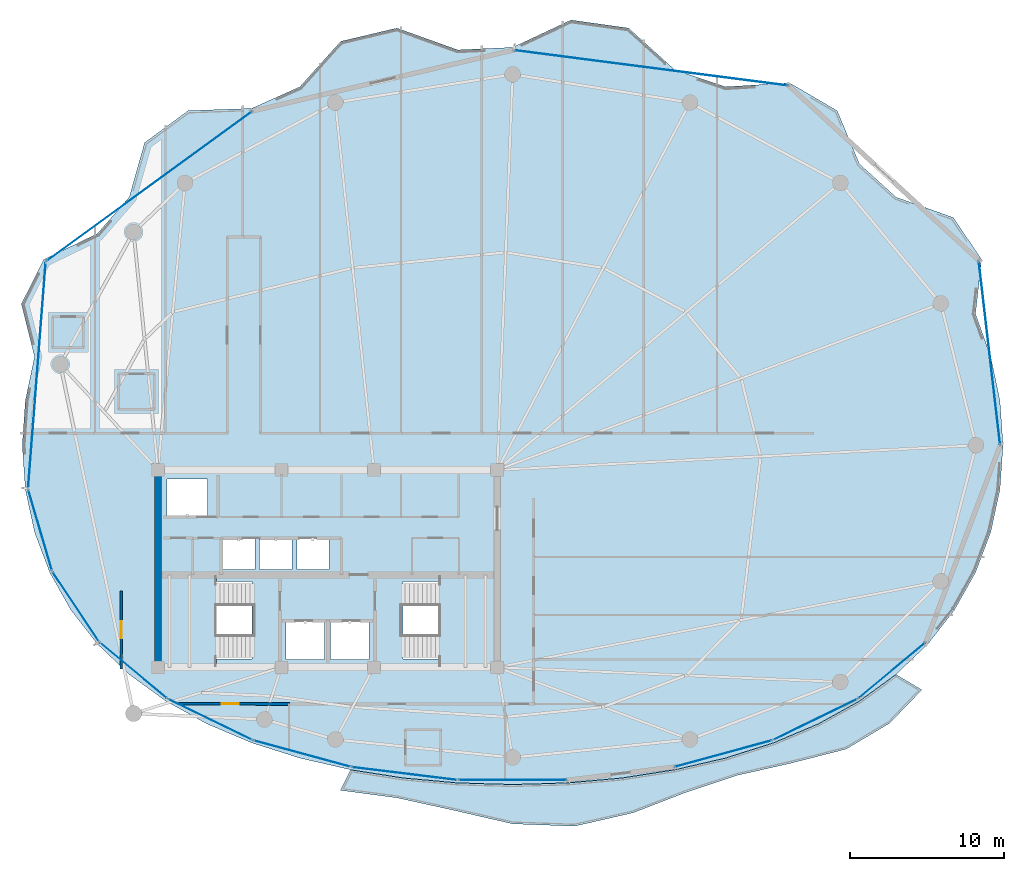
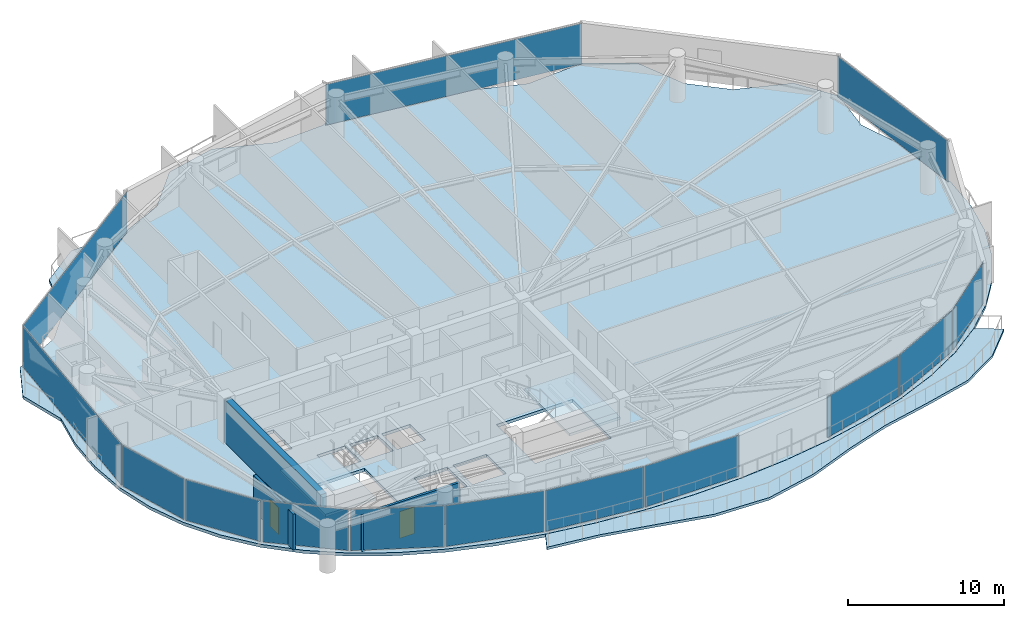
# One storey, part 24 of 31: 14 plates, 4 slabs, 3 walls, 2 doors, 2 openings, 16 elements without a shape of their own.
"""IFC4 building model written with IfcOpenShell, lengths in metres."""

import ifcopenshell
import ifcopenshell.guid

model = None  # the IFC model being written
_history = None  # IfcOwnerHistory: only IFC2X3 demands one
_inside = {}  # id of a spatial element -> (the spatial element, [elements in it])
_under = {}  # id of a project, library or spatial element -> (it, [spatial elements below it])
_declared = {}  # id of a project -> (the project, [libraries it declares])
_typed = {}  # id of a type object -> (the type object, [elements of that type])
_made_of = {}  # id of a material, layer set ... -> (it, [elements and type objects made of it])


def new_model(schema):
    """Start an empty IFC model of exactly this schema.

    Asked for "IFC4X3", IfcOpenShell would pick the latest addendum, in which some entities
    have other attributes; the version numbers below select the first issue.
    IFC2X3 requires an IfcOwnerHistory on every rooted entity: one is made here for all.
    """
    global model, _history
    if schema == "IFC4X3":
        model = ifcopenshell.file(schema_version=(4, 3, 0, 0))
    else:
        model = ifcopenshell.file(schema=schema)
    _inside.clear()
    _under.clear()
    _declared.clear()
    _typed.clear()
    _made_of.clear()
    _history = None
    if model.schema == "IFC2X3":
        org = make("IfcOrganization", Name="unknown")
        user = make(
            "IfcPersonAndOrganization",
            ThePerson=make("IfcPerson", FamilyName="unknown"),
            TheOrganization=org,
        )
        app = make(
            "IfcApplication",
            ApplicationDeveloper=org,
            Version="unknown",
            ApplicationFullName="unknown",
            ApplicationIdentifier="unknown",
        )
        _history = make(
            "IfcOwnerHistory",
            OwningUser=user,
            OwningApplication=app,
            ChangeAction="ADDED",
            CreationDate=0,
        )
    return model


def make(cls, **values):
    """One entity of the class cls with the attributes given. An attribute that is None is left unset."""
    return model.create_entity(
        cls, **{name: value for name, value in values.items() if value is not None}
    )


def rooted(cls, **values):
    """An entity with a GlobalId (a new one), such as an element, a storey or a relation."""
    return make(cls, GlobalId=ifcopenshell.guid.new(), OwnerHistory=_history, **values)


def si_unit(unit_type, name, prefix=None):
    """IfcSIUnit, for example si_unit("LENGTHUNIT", "METRE", prefix="MILLI")."""
    return make("IfcSIUnit", UnitType=unit_type, Prefix=prefix, Name=name)


def assignment(units):
    """IfcUnitAssignment: the units of a project."""
    return None if units is None else make("IfcUnitAssignment", Units=units)


def point(xyz):
    """IfcCartesianPoint."""
    return None if xyz is None else make("IfcCartesianPoint", Coordinates=xyz)


def direction(xyz):
    """IfcDirection."""
    return None if xyz is None else make("IfcDirection", DirectionRatios=xyz)


def frame(location, z_axis=None, x_axis=None):
    """IfcAxis2Placement3D, a coordinate frame: its origin and axes. An axis left out is left unset."""
    return make(
        "IfcAxis2Placement3D",
        Location=point(location),
        Axis=direction(z_axis),
        RefDirection=direction(x_axis),
    )


def frame_2d(location, x_axis=None):
    """IfcAxis2Placement2D, a coordinate frame in the plane: its origin and x axis."""
    return make(
        "IfcAxis2Placement2D", Location=point(location), RefDirection=direction(x_axis)
    )


def origin():
    """The frame at (0, 0, 0) with its axes left unset."""
    return frame((0.0, 0.0, 0.0))


def origin_2d():
    """The frame at (0, 0) in the plane with its x axis left unset."""
    return frame_2d((0.0, 0.0))


def place(relative_to, where):
    """IfcLocalPlacement: puts the frame where relative to a parent placement (None: the world)."""
    return make(
        "IfcLocalPlacement", PlacementRelTo=relative_to, RelativePlacement=where
    )


def context(
    kind, dimensions, precision=None, world=None, true_north=None, identifier=None
):
    """IfcGeometricRepresentationContext, for example the 3D "Model" context."""
    return make(
        "IfcGeometricRepresentationContext",
        ContextIdentifier=identifier,
        ContextType=kind,
        CoordinateSpaceDimension=dimensions,
        Precision=precision,
        WorldCoordinateSystem=world,
        TrueNorth=true_north,
    )


def subcontext(parent, identifier, kind, view, scale=None):
    """IfcGeometricRepresentationSubContext, for example "Body" below "Model"."""
    return make(
        "IfcGeometricRepresentationSubContext",
        ContextIdentifier=identifier,
        ContextType=kind,
        ParentContext=parent,
        TargetScale=scale,
        TargetView=view,
    )


def project(units=None, contexts=None):
    """IfcProject with its units and contexts."""
    return rooted(
        "IfcProject",
        Name="project",
        RepresentationContexts=contexts,
        UnitsInContext=assignment(units),
    )


def spatial(cls, under=None, at=None, **own):
    """A site, building, storey or space (cls), placed at a placement, below another one or the project."""
    s = rooted(cls, ObjectPlacement=at, **own)
    if under is not None:
        _under.setdefault(under.id(), (under, []))[1].append(s)
    return s


def polyline(points):
    """IfcPolyline through the points."""
    return make("IfcPolyline", Points=[point(p) for p in points])


def profile(cls, at=None, kind="AREA", **sizes):
    """A parametric profile (cls). Its sizes go by their IFC names, for example OverallWidth=200.0."""
    return make(cls, ProfileType=kind, Position=at, **sizes)


def rectangle(**sizes):
    """IfcRectangleProfileDef."""
    return profile("IfcRectangleProfileDef", **sizes)


def outline(outer, holes=None, kind="AREA"):
    """IfcArbitraryClosedProfileDef: a profile drawn as a closed curve; with holes, ...WithVoids."""
    if holes is None:
        return make("IfcArbitraryClosedProfileDef", ProfileType=kind, OuterCurve=outer)
    return make(
        "IfcArbitraryProfileDefWithVoids",
        ProfileType=kind,
        OuterCurve=outer,
        InnerCurves=holes,
    )


def extrude(swept, where, along, depth):
    """IfcExtrudedAreaSolid: the profile swept, set in the frame where, extruded along a direction by depth."""
    return make(
        "IfcExtrudedAreaSolid",
        SweptArea=swept,
        Position=where,
        ExtrudedDirection=direction(along),
        Depth=depth,
    )


def shape(context_of_items, identifier, shape_type, items):
    """IfcShapeRepresentation: the items that make up one representation, for example the "Body"."""
    return make(
        "IfcShapeRepresentation",
        ContextOfItems=context_of_items,
        RepresentationIdentifier=identifier,
        RepresentationType=shape_type,
        Items=items,
    )


def material(Name=None, Category=None):
    """IfcMaterial."""
    return make("IfcMaterial", Name=Name, Category=Category)


def layer(
    of_material, thickness, ventilated=None, Name=None, Category=None, Priority=None
):
    """IfcMaterialLayer: one layer of a wall or slab, of a material (None: an air gap)."""
    return make(
        "IfcMaterialLayer",
        Material=of_material,
        LayerThickness=thickness,
        IsVentilated=ventilated,
        Name=Name,
        Category=Category,
        Priority=Priority,
    )


def layer_set(layers, Name=None):
    """IfcMaterialLayerSet."""
    return make("IfcMaterialLayerSet", MaterialLayers=layers, LayerSetName=Name)


def made_of(thing, what):
    """Note that an element or type object is made of a material, layer set ...; save() writes the relation."""
    if what is not None:
        _made_of.setdefault(what.id(), (what, []))[1].append(thing)
    return thing


def type_object(cls, material=None, **own):
    """A type object (cls), such as IfcWallType, which elements share."""
    return made_of(rooted(cls, **own), material)


def element(
    cls,
    number,
    at=None,
    inside=None,
    cuts=None,
    type_object=None,
    material=None,
    context=None,
    identifier="Body",
    shape_type=None,
    held_by="IfcProductDefinitionShape",
    body=None,
    shapes=None,
    **own,
):
    """One element of the class cls, such as IfcWall. Its Tag is "e" and its number.

    at: its placement. inside: the storey or other place that contains it. cuts: it is an
    opening in that element (IfcRelVoidsElement). A single representation is given by context,
    identifier, shape_type and body (its items); several are given by shapes. held_by: the class
    of the entity that holds the representations. save() writes the other relations.
    """
    e = rooted(cls, Tag="e%d" % number, ObjectPlacement=at, **own)
    if body is not None:
        shapes = [shape(context, identifier, shape_type, body)]
    if shapes is not None:
        e.Representation = make(held_by, Representations=shapes)
    if inside is not None:
        _inside.setdefault(inside.id(), (inside, []))[1].append(e)
    if cuts is not None:
        rooted(
            "IfcRelVoidsElement", RelatingBuildingElement=cuts, RelatedOpeningElement=e
        )
    if type_object is not None:
        _typed.setdefault(type_object.id(), (type_object, []))[1].append(e)
    return made_of(e, material)


def fill(opening, filler):
    """IfcRelFillsElement: the door or window that sits in an opening."""
    return rooted(
        "IfcRelFillsElement",
        RelatingOpeningElement=opening,
        RelatedBuildingElement=filler,
    )


def aggregate(whole, parts):
    """IfcRelAggregates: a whole, such as a stair, and the parts it consists of."""
    return rooted("IfcRelAggregates", RelatingObject=whole, RelatedObjects=parts)


def save(model, path):
    """Write the relations noted so far, then the file.

    IfcRelAggregates (storeys below a building ...), IfcRelContainedInSpatialStructure (elements
    in a storey), IfcRelDefinesByType, IfcRelAssociatesMaterial and IfcRelDeclares: one each for
    every whole, place, type object, material and project.
    """
    for whole, parts in _under.values():
        aggregate(whole, parts)
    for where, things in _inside.values():
        rooted(
            "IfcRelContainedInSpatialStructure",
            RelatedElements=things,
            RelatingStructure=where,
        )
    for kind, things in _typed.values():
        rooted("IfcRelDefinesByType", RelatedObjects=things, RelatingType=kind)
    for what, things in _made_of.values():
        rooted("IfcRelAssociatesMaterial", RelatedObjects=things, RelatingMaterial=what)
    for by, libraries in _declared.values():
        rooted("IfcRelDeclares", RelatingContext=by, RelatedDefinitions=libraries)
    model.write(path)


model = new_model("IFC4")

# Units and contexts
model_context = context("Model", 3, precision=1e-05, world=origin(), true_north=direction((0.0, 1.0)))
body_context = subcontext(model_context, "Body", "Model", "MODEL_VIEW")
ifc_project = project(units=[si_unit("LENGTHUNIT", "METRE"), si_unit("AREAUNIT", "SQUARE_METRE"), si_unit("VOLUMEUNIT", "CUBIC_METRE"), si_unit("PLANEANGLEUNIT", "RADIAN"), si_unit("MASSUNIT", "GRAM", prefix="KILO")], contexts=[model_context])

# Site, building, storey
site_placement = place(None, origin())
site = spatial("IfcSite", under=ifc_project, at=site_placement, CompositionType="ELEMENT")
building_placement = place(site_placement, origin())
building = spatial("IfcBuilding", under=site, at=building_placement, Name="Kazevale Care Tower and Concert Hall", CompositionType="ELEMENT")
storey_placement = place(building_placement, frame((0.0, 0.0, 238.800048828125)))
storey = spatial("IfcBuildingStorey", under=building, at=storey_placement, Name="L63", CompositionType="ELEMENT", Elevation=238.800048828125)

# Curtain wall, plate
ifc_material_1 = material(Name="Aluminium 6063-T6 and Low-E Glass", Category="aluminium")
ifc_layer_1 = layer(ifc_material_1, 0.179931640625)
ifc_layer_set_1 = layer_set([ifc_layer_1], Name="Aluminium 6063-T6 and Low-E Glass")
curtain_wall_type_1 = type_object("IfcCurtainWallType", Name="Waist & Upper Residential Curtain Wall CW-4", PredefinedType="NOTDEFINED", material=ifc_layer_set_1)
curtain_wall_1_placement = place(storey_placement, origin())
curtain_wall_1 = element("IfcCurtainWall", 1, at=curtain_wall_1_placement, inside=storey, type_object=curtain_wall_type_1, Name="cw:L63:f11", PredefinedType="NOTDEFINED")
ifc_material_2 = material(Name="Low-E Laminated Glass", Category="glass")
ifc_layer_2 = layer(ifc_material_2, 0.030029296875)
ifc_layer_set_2 = layer_set([ifc_layer_2], Name="Low-E Laminated Glass")
plate_type_1 = type_object("IfcPlateType", Name="CW-4 Low-E Glazing Panel 30mm", PredefinedType="CURTAIN_PANEL", material=ifc_layer_set_2)
plate_1_placement = place(storey_placement, frame((16.677978515625, 27.525390625, 0.080078125), z_axis=(0.0, 0.0, 1.0), x_axis=(-0.554616540853, 0.832106058512, 0.0)))
plate_1 = element("IfcPlate", 2, at=plate_1_placement, type_object=plate_type_1, Name="CW-4 panel 1.1", PredefinedType="CURTAIN_PANEL", context=body_context, shape_type="SweptSolid", body=[
    extrude(rectangle(XDim=5.357421875, YDim=0.030029296875, at=origin_2d()), origin(), (0.0, 0.0, 1.0), 3.199951171875),
])
aggregate(curtain_wall_1, [plate_1])

curtain_wall_2_placement = place(storey_placement, origin())
curtain_wall_2 = element("IfcCurtainWall", 3, at=curtain_wall_2_placement, inside=storey, type_object=curtain_wall_type_1, Name="cw:L63:f12", PredefinedType="NOTDEFINED")
plate_2_placement = place(storey_placement, frame((14.363525390625, 32.489013671875, 0.080078125), z_axis=(0.0, 0.0, 1.0), x_axis=(-0.282098184457, 0.959385539982, 0.0)))
plate_2 = element("IfcPlate", 4, at=plate_2_placement, type_object=plate_type_1, Name="CW-4 panel 1.1", PredefinedType="CURTAIN_PANEL", context=body_context, shape_type="SweptSolid", body=[
    extrude(rectangle(XDim=5.40185546875, YDim=0.030029296875, at=origin_2d()), origin(), (0.0, 0.0, 1.0), 3.199951171875),
])
aggregate(curtain_wall_2, [plate_2])

curtain_wall_3_placement = place(storey_placement, origin())
curtain_wall_3 = element("IfcCurtainWall", 5, at=curtain_wall_3_placement, inside=storey, type_object=curtain_wall_type_1, Name="cw:L63:f13", PredefinedType="NOTDEFINED")
plate_3_placement = place(storey_placement, frame((14.152587890625, 42.531005859375, 0.080078125), z_axis=(0.0, 0.0, 1.0), x_axis=(0.077539106325, 0.996989311372, 0.0)))
plate_3 = element("IfcPlate", 6, at=plate_3_placement, type_object=plate_type_1, Name="CW-4 panel 1.1", PredefinedType="CURTAIN_PANEL", context=body_context, shape_type="SweptSolid", body=[
    extrude(rectangle(XDim=14.632568359375, YDim=0.030029296875, at=origin_2d()), origin(), (0.0, 0.0, 1.0), 3.199951171875),
])
aggregate(curtain_wall_3, [plate_3])

curtain_wall_4_placement = place(storey_placement, origin())
curtain_wall_4 = element("IfcCurtainWall", 7, at=curtain_wall_4_placement, inside=storey, type_object=curtain_wall_type_1, Name="cw:L63:f14", PredefinedType="NOTDEFINED")
plate_4_placement = place(storey_placement, frame((21.424560546875, 54.785888671875, 0.080078125), z_axis=(0.0, 0.0, 1.0), x_axis=(0.808198348937, 0.588910374145, 0.0)))
plate_4 = element("IfcPlate", 8, at=plate_4_placement, type_object=plate_type_1, Name="CW-4 panel 1.1", PredefinedType="CURTAIN_PANEL", context=body_context, shape_type="SweptSolid", body=[
    extrude(rectangle(XDim=16.416259765625, YDim=0.030029296875, at=origin_2d()), origin(), (0.0, 0.0, 1.0), 3.199951171875),
])
aggregate(curtain_wall_4, [plate_4])

curtain_wall_5_placement = place(storey_placement, origin())
curtain_wall_5 = element("IfcCurtainWall", 9, at=curtain_wall_5_placement, inside=storey, type_object=curtain_wall_type_1, Name="cw:L63:f16", PredefinedType="NOTDEFINED")
plate_5_placement = place(storey_placement, frame((53.978515625, 62.468017578125, 0.080078125), z_axis=(0.0, 0.0, 1.0), x_axis=(0.991761497713, -0.128098132904, 0.0)))
plate_5 = element("IfcPlate", 10, at=plate_5_placement, type_object=plate_type_1, Name="CW-4 panel 1.1", PredefinedType="CURTAIN_PANEL", context=body_context, shape_type="SweptSolid", body=[
    extrude(rectangle(XDim=17.857421875, YDim=0.030029296875, at=origin_2d()), origin(), (0.0, 0.0, 1.0), 3.199951171875),
])
aggregate(curtain_wall_5, [plate_5])

curtain_wall_6_placement = place(storey_placement, origin())
curtain_wall_6 = element("IfcCurtainWall", 11, at=curtain_wall_6_placement, inside=storey, type_object=curtain_wall_type_1, Name="cw:L63:f18", PredefinedType="NOTDEFINED")
plate_6_placement = place(storey_placement, frame((75.92041015625, 43.99755859375, 0.080078125), z_axis=(0.0, 0.0, 1.0), x_axis=(0.115846659989, -0.993267109779, 0.0)))
plate_6 = element("IfcPlate", 12, at=plate_6_placement, type_object=plate_type_1, Name="CW-4 panel 1.1", PredefinedType="CURTAIN_PANEL", context=body_context, shape_type="SweptSolid", body=[
    extrude(rectangle(XDim=11.916259765625, YDim=0.030029296875, at=origin_2d()), origin(), (0.0, 0.0, 1.0), 3.199951171875),
])
aggregate(curtain_wall_6, [plate_6])

ifc_layer_3 = layer(ifc_material_1, 0.179931640625)
ifc_layer_set_3 = layer_set([ifc_layer_3], Name="Aluminium 6063-T6 and Low-E Glass")
curtain_wall_type_2 = type_object("IfcCurtainWallType", Name="Sheltered Concave Balcony Curtain Wall CW-5", PredefinedType="NOTDEFINED", material=ifc_layer_set_3)
curtain_wall_7_placement = place(storey_placement, origin())
curtain_wall_7 = element("IfcCurtainWall", 13, at=curtain_wall_7_placement, inside=storey, type_object=curtain_wall_type_2, Name="cw:L63:f02", PredefinedType="NOTDEFINED")
ifc_layer_4 = layer(ifc_material_2, 0.02587890625)
ifc_layer_set_4 = layer_set([ifc_layer_4], Name="Low-E Laminated Glass")
plate_type_2 = type_object("IfcPlateType", Name="CW-5 Low-E Glazing Panel 26mm", PredefinedType="CURTAIN_PANEL", material=ifc_layer_set_4)
plate_7_placement = place(storey_placement, frame((69.590576171875, 23.396484375, 0.074951171875), z_axis=(0.0, 0.0, 1.0), x_axis=(-0.768407210062, -0.639961217204, 0.0)))
plate_7 = element("IfcPlate", 14, at=plate_7_placement, type_object=plate_type_2, Name="CW-5 panel 1.1", PredefinedType="CURTAIN_PANEL", context=body_context, shape_type="SweptSolid", body=[
    extrude(rectangle(XDim=5.580078125, YDim=0.02587890625, at=origin_2d()), origin(), (0.0, 0.0, 1.0), 3.2099609375),
])
aggregate(curtain_wall_7, [plate_7])

curtain_wall_8_placement = place(storey_placement, origin())
curtain_wall_8 = element("IfcCurtainWall", 15, at=curtain_wall_8_placement, inside=storey, type_object=curtain_wall_type_2, Name="cw:L63:f03", PredefinedType="NOTDEFINED")
plate_8_placement = place(storey_placement, frame((64.62255859375, 20.218017578125, 0.074951171875), z_axis=(0.0, 0.0, 1.0), x_axis=(-0.89934566163, -0.437238357087, 0.0)))
plate_8 = element("IfcPlate", 16, at=plate_8_placement, type_object=plate_type_2, Name="CW-5 panel 1.1", PredefinedType="CURTAIN_PANEL", context=body_context, shape_type="SweptSolid", body=[
    extrude(rectangle(XDim=6.002197265625, YDim=0.02587890625, at=origin_2d()), origin(), (0.0, 0.0, 1.0), 3.2099609375),
])
aggregate(curtain_wall_8, [plate_8])

curtain_wall_9_placement = place(storey_placement, origin())
curtain_wall_9 = element("IfcCurtainWall", 17, at=curtain_wall_9_placement, inside=storey, type_object=curtain_wall_type_2, Name="cw:L63:f04", PredefinedType="NOTDEFINED")
plate_9_placement = place(storey_placement, frame((58.66259765625, 18.0029296875, 0.074951171875), z_axis=(0.0, 0.0, 1.0), x_axis=(-0.964836991167, -0.262848968947, 0.0)))
plate_9 = element("IfcPlate", 18, at=plate_9_placement, type_object=plate_type_2, Name="CW-5 panel 1.1", PredefinedType="CURTAIN_PANEL", context=body_context, shape_type="SweptSolid", body=[
    extrude(rectangle(XDim=6.4697265625, YDim=0.02587890625, at=origin_2d()), origin(), (0.0, 0.0, 1.0), 3.2099609375),
])
aggregate(curtain_wall_9, [plate_9])

curtain_wall_10_placement = place(storey_placement, origin())
curtain_wall_10 = element("IfcCurtainWall", 19, at=curtain_wall_10_placement, inside=storey, type_object=curtain_wall_type_2, Name="cw:L63:f06", PredefinedType="NOTDEFINED")
plate_10_placement = place(storey_placement, frame((45.0, 16.284912109375, 0.074951171875), z_axis=(0.0, 0.0, 1.0), x_axis=(-1.0, 0.0, 0.0)))
plate_10 = element("IfcPlate", 20, at=plate_10_placement, type_object=plate_type_2, Name="CW-5 panel 1.1", PredefinedType="CURTAIN_PANEL", context=body_context, shape_type="SweptSolid", body=[
    extrude(rectangle(XDim=6.949951171875, YDim=0.02587890625, at=origin_2d()), origin(), (0.0, 0.0, 1.0), 3.2099609375),
])
aggregate(curtain_wall_10, [plate_10])

curtain_wall_11_placement = place(storey_placement, origin())
curtain_wall_11 = element("IfcCurtainWall", 21, at=curtain_wall_11_placement, inside=storey, type_object=curtain_wall_type_2, Name="cw:L63:f07", PredefinedType="NOTDEFINED")
plate_11_placement = place(storey_placement, frame((37.990478515625, 16.708984375, 0.074951171875), z_axis=(0.0, 0.0, 1.0), x_axis=(-0.992572961225, 0.121650797964, 0.0)))
plate_11 = element("IfcPlate", 22, at=plate_11_placement, type_object=plate_type_2, Name="CW-5 panel 1.1", PredefinedType="CURTAIN_PANEL", context=body_context, shape_type="SweptSolid", body=[
    extrude(rectangle(XDim=6.82080078125, YDim=0.02587890625, at=origin_2d()), origin(), (0.0, 0.0, 1.0), 3.2099609375),
])
aggregate(curtain_wall_11, [plate_11])

curtain_wall_12_placement = place(storey_placement, origin())
curtain_wall_12 = element("IfcCurtainWall", 23, at=curtain_wall_12_placement, inside=storey, type_object=curtain_wall_type_2, Name="cw:L63:f08", PredefinedType="NOTDEFINED")
plate_12_placement = place(storey_placement, frame((31.33740234375, 18.0029296875, 0.074951171875), z_axis=(0.0, 0.0, 1.0), x_axis=(-0.964836991167, 0.262848968947, 0.0)))
plate_12 = element("IfcPlate", 24, at=plate_12_placement, type_object=plate_type_2, Name="CW-5 panel 1.1", PredefinedType="CURTAIN_PANEL", context=body_context, shape_type="SweptSolid", body=[
    extrude(rectangle(XDim=6.4697265625, YDim=0.02587890625, at=origin_2d()), origin(), (0.0, 0.0, 1.0), 3.2099609375),
])
aggregate(curtain_wall_12, [plate_12])

curtain_wall_13_placement = place(storey_placement, origin())
curtain_wall_13 = element("IfcCurtainWall", 25, at=curtain_wall_13_placement, inside=storey, type_object=curtain_wall_type_2, Name="cw:L63:f09", PredefinedType="NOTDEFINED")
plate_13_placement = place(storey_placement, frame((25.37744140625, 20.218017578125, 0.074951171875), z_axis=(0.0, 0.0, 1.0), x_axis=(-0.89934566163, 0.437238357087, 0.0)))
plate_13 = element("IfcPlate", 26, at=plate_13_placement, type_object=plate_type_2, Name="CW-5 panel 1.1", PredefinedType="CURTAIN_PANEL", context=body_context, shape_type="SweptSolid", body=[
    extrude(rectangle(XDim=6.002197265625, YDim=0.02587890625, at=origin_2d()), origin(), (0.0, 0.0, 1.0), 3.2099609375),
])
aggregate(curtain_wall_13, [plate_13])

curtain_wall_14_placement = place(storey_placement, origin())
curtain_wall_14 = element("IfcCurtainWall", 27, at=curtain_wall_14_placement, inside=storey, type_object=curtain_wall_type_2, Name="cw:L63:f10", PredefinedType="NOTDEFINED")
plate_14_placement = place(storey_placement, frame((20.409423828125, 23.396484375, 0.074951171875), z_axis=(0.0, 0.0, 1.0), x_axis=(-0.768407210062, 0.639961217204, 0.0)))
plate_14 = element("IfcPlate", 28, at=plate_14_placement, type_object=plate_type_2, Name="CW-5 panel 1.1", PredefinedType="CURTAIN_PANEL", context=body_context, shape_type="SweptSolid", body=[
    extrude(rectangle(XDim=5.580078125, YDim=0.02587890625, at=origin_2d()), origin(), (0.0, 0.0, 1.0), 3.2099609375),
])
aggregate(curtain_wall_14, [plate_14])

# Slab
ifc_material_3 = material(Name="Concrete C40", Category="concrete")
ifc_layer_5 = layer(ifc_material_3, 0.199951171875)
ifc_layer_set_5 = layer_set([ifc_layer_5], Name="Concrete C40")
slab_type_1 = type_object("IfcSlabType", Name="Sinusoidal Concave Balcony Slab 200", PredefinedType="USERDEFINED", material=ifc_layer_set_5)
slab_1_placement = place(storey_placement, frame((0.0, 0.0, -0.199951171875)))
element("IfcSlab", 29, at=slab_1_placement, inside=storey, type_object=slab_type_1, Name="slab:L63:bal", ObjectType="BALCONY", PredefinedType="USERDEFINED", context=body_context, shape_type="SweptSolid", body=[
    extrude(outline(polyline([(71.53662109375, 22.135986328125), (69.438720703125, 19.97021484375), (66.624755859375, 18.2958984375), (63.072021484375, 17.387939453125), (59.55908203125, 16.593994140625), (56.234130859375, 15.49072265625), (52.81591796875, 14.166748046875), (49.016845703125, 13.29931640625), (45.0, 13.4482421875), (41.151611328125, 14.333740234375), (37.50244140625, 15.13720703125), (33.83203125, 15.62353515625), (34.494873046875, 16.951416015625), (34.49609375, 16.951171875), (37.923095703125, 16.417236328125), (41.439208984375, 16.10009765625), (45.0, 15.9951171875), (48.560791015625, 16.10009765625), (52.076904296875, 16.417236328125), (55.50390625, 16.951171875), (58.798828125, 17.708740234375), (61.92041015625, 18.69873046875), (64.8291015625, 19.92919921875), (67.48876953125, 21.406494140625), (69.865478515625, 23.133056640625), (69.86669921875, 23.13427734375), (71.53662109375, 22.135986328125)])), origin(), (0.0, 0.0, 1.0), 0.199951171875),
])

# Stair, slab
stair_type = type_object("IfcStairType", Name="Exit Stair Assembly ST1-Z3", PredefinedType="HALF_TURN_STAIR", material=ifc_material_3)
stair_1_placement = place(storey_placement, origin())
stair_1 = element("IfcStair", 30, at=stair_1_placement, inside=storey, type_object=stair_type, Name="stair:L63:ST1", PredefinedType="HALF_TURN_STAIR")
ifc_layer_6 = layer(ifc_material_3, 0.199951171875)
ifc_layer_set_6 = layer_set([ifc_layer_6], Name="Concrete C40")
slab_type_2 = type_object("IfcSlabType", Name="Stair Half-Landing Slab ST1-Z3", PredefinedType="LANDING", material=ifc_layer_set_6)
slab_2_placement = place(storey_placement, frame((0.0, 0.0, 1.599853515625)))
slab_2 = element("IfcSlab", 31, at=slab_2_placement, type_object=slab_type_2, Name="ST1-Z3 landing 1", PredefinedType="LANDING", context=body_context, shape_type="SweptSolid", body=[
    extrude(outline(polyline([(22.050048828125, 23.699951171875), (25.81005859375, 23.699951171875), (25.81005859375, 29.5), (22.050048828125, 29.5), (22.050048828125, 23.699951171875)])), origin(), (0.0, 0.0, 1.0), 0.2001953125),
])
aggregate(stair_1, [slab_2])

stair_2_placement = place(storey_placement, origin())
stair_2 = element("IfcStair", 32, at=stair_2_placement, inside=storey, type_object=stair_type, Name="stair:L63:ST2", PredefinedType="HALF_TURN_STAIR")
slab_3_placement = place(storey_placement, frame((0.0, 0.0, 1.599853515625)))
slab_3 = element("IfcSlab", 33, at=slab_3_placement, type_object=slab_type_2, Name="ST1-Z3 landing 1", PredefinedType="LANDING", context=body_context, shape_type="SweptSolid", body=[
    extrude(outline(polyline([(40.18994140625, 23.699951171875), (43.949951171875, 23.699951171875), (43.949951171875, 29.5), (40.18994140625, 29.5), (40.18994140625, 23.699951171875)])), origin(), (0.0, 0.0, 1.0), 0.2001953125),
])
aggregate(stair_2, [slab_3])

# Slab
ifc_layer_7 = layer(ifc_material_3, 0.239990234375)
ifc_layer_set_7 = layer_set([ifc_layer_7], Name="Concrete C40")
slab_type_3 = type_object("IfcSlabType", Name="Tower Typical Floor Slab 240", PredefinedType="FLOOR", material=ifc_layer_set_7)
slab_4_placement = place(storey_placement, frame((0.0, 0.0, -0.239990234375)))
element("IfcSlab", 34, at=slab_4_placement, inside=storey, type_object=slab_type_3, Name="slab:L63:tw:1", PredefinedType="FLOOR", context=body_context, shape_type="SweptSolid", body=[
    extrude(outline(polyline([(76.800048828125, 38.0), (76.60009765625, 40.888671875), (76.002685546875, 43.740966796875), (75.015380859375, 46.521240234375), (75.40771484375, 50.040283203125), (73.576904296875, 52.763916015625), (69.8623046875, 54.0859375), (67.486083984375, 56.243408203125), (66.042724609375, 59.69580078125), (62.9560546875, 61.49658203125), (58.797607421875, 61.2451171875), (55.5029296875, 62.352294921875), (52.510009765625, 65.05419921875), (48.77880859375, 65.575439453125), (45.0, 63.800048828125), (41.439453125, 63.6376953125), (37.489990234375, 65.05419921875), (33.85302734375, 64.19287109375), (31.202392578125, 61.2451171875), (28.081298828125, 59.845458984375), (23.957275390625, 59.69580078125), (21.135009765625, 57.622314453125), (20.1376953125, 54.0859375), (18.07421875, 51.726318359375), (14.59228515625, 50.040283203125), (13.143798828125, 47.165283203125), (13.997314453125, 43.740966796875), (13.39990234375, 40.888671875), (13.199951171875, 38.0), (13.39990234375, 35.131103515625), (13.997314453125, 32.362060546875), (14.984619140625, 29.744873046875), (16.34912109375, 27.318115234375), (18.07421875, 25.109130859375), (20.1376953125, 23.13671875), (22.513916015625, 21.41064453125), (25.173095703125, 19.933837890625), (28.081298828125, 18.70361328125), (31.202392578125, 17.713623046875), (34.4970703125, 16.9560546875), (37.923828125, 16.422119140625), (41.439453125, 16.10498046875), (45.0, 16.0), (48.560546875, 16.10498046875), (52.076171875, 16.422119140625), (55.5029296875, 16.9560546875), (58.797607421875, 17.713623046875), (61.918701171875, 18.70361328125), (64.826904296875, 19.933837890625), (67.486083984375, 21.41064453125), (69.8623046875, 23.13671875), (71.92578125, 25.109130859375), (73.65087890625, 27.318115234375), (75.015380859375, 29.744873046875), (76.002685546875, 32.362060546875), (76.60009765625, 35.131103515625), (76.800048828125, 38.0)]), holes=[polyline([(22.449951171875, 24.14990234375), (28.110107421875, 24.14990234375), (28.110107421875, 29.14990234375), (22.449951171875, 29.14990234375), (22.449951171875, 24.14990234375)]), polyline([(37.889892578125, 24.14990234375), (43.550048828125, 24.14990234375), (43.550048828125, 29.14990234375), (37.889892578125, 29.14990234375), (37.889892578125, 24.14990234375)]), polyline([(30.300048828125, 24.10009765625), (32.800048828125, 24.10009765625), (32.800048828125, 26.60009765625), (30.300048828125, 26.60009765625), (30.300048828125, 24.10009765625)]), polyline([(33.199951171875, 24.10009765625), (35.699951171875, 24.10009765625), (35.699951171875, 26.60009765625), (33.199951171875, 26.60009765625), (33.199951171875, 24.10009765625)]), polyline([(22.60009765625, 33.39990234375), (25.199951171875, 33.39990234375), (25.199951171875, 35.800048828125), (22.60009765625, 35.800048828125), (22.60009765625, 33.39990234375)]), polyline([(26.199951171875, 29.949951171875), (28.300048828125, 29.949951171875), (28.300048828125, 31.949951171875), (26.199951171875, 31.949951171875), (26.199951171875, 29.949951171875)]), polyline([(28.60009765625, 29.949951171875), (30.699951171875, 29.949951171875), (30.699951171875, 31.949951171875), (28.60009765625, 31.949951171875), (28.60009765625, 29.949951171875)]), polyline([(31.0, 29.949951171875), (33.10009765625, 29.949951171875), (33.10009765625, 31.949951171875), (31.0, 31.949951171875), (31.0, 29.949951171875)])]), origin(), (0.0, 0.0, 1.0), 0.239990234375),
])

# Wall
ifc_material_4 = material(Name="Concrete C50", Category="concrete")
ifc_layer_8 = layer(ifc_material_4, 0.449951171875)
ifc_layer_set_8 = layer_set([ifc_layer_8], Name="Concrete C50")
wall_type_1 = type_object("IfcWallType", Name="Core Shear Wall 450 C50", PredefinedType="SHEAR", material=ifc_layer_set_8)
wall_1_placement = place(storey_placement, frame((22.0, 23.824951171875, 0.0), z_axis=(0.0, 0.0, 1.0), x_axis=(0.0, 1.0, 0.0)))
element("IfcWall", 35, at=wall_1_placement, inside=storey, type_object=wall_type_1, Name="wall:L63:core:W", PredefinedType="SHEAR", context=body_context, shape_type="SweptSolid", body=[
    extrude(rectangle(XDim=12.35009765625, YDim=0.449951171875, at=frame_2d((6.175048828125, 0.0))), origin(), (0.0, 0.0, 1.0), 3.35986328125),
])

# Wall, opening, door
ifc_material_5 = material(Name="Concrete C40 and Acoustic Gypsum", Category="concrete")
ifc_layer_9 = layer(ifc_material_5, 0.179931640625)
ifc_layer_set_9 = layer_set([ifc_layer_9], Name="Concrete C40 and Acoustic Gypsum")
wall_type_2 = type_object("IfcWallType", Name="Fire-Rated Corridor & Party Wall 180", PredefinedType="PARTITIONING", material=ifc_layer_set_9)
wall_2_placement = place(storey_placement, frame((30.56494140625, 21.22509765625, 0.0), z_axis=(0.0, 0.0, 1.0), x_axis=(-0.999997325315, 0.002312868818, 0.0)))
wall_2 = element("IfcWall", 36, at=wall_2_placement, inside=storey, type_object=wall_type_2, Name="wall:L63:auto_019", PredefinedType="PARTITIONING", context=body_context, shape_type="SweptSolid", body=[
    extrude(rectangle(XDim=7.283447265625, YDim=0.179931640625, at=frame_2d((3.6416015625, 0.0))), origin(), (0.0, 0.0, 1.0), 2.889892578125),
])
opening_1_placement = place(wall_2_placement, frame((3.3291015625, 0.0, 0.0)))
opening_1 = element("IfcOpeningElement", 37, at=opening_1_placement, cuts=wall_2, Name="Opening ID-1100", PredefinedType="OPENING", context=body_context, shape_type="SweptSolid", body=[
    extrude(rectangle(XDim=1.10009765625, YDim=2.10009765625, at=frame_2d((0.550048828125, 1.050048828125))), frame((0.0, 0.099853515625, 0.0), z_axis=(0.0, -1.0, 0.0), x_axis=(1.0, 0.0, 0.0)), (0.0, 0.0, 1.0), 0.199951171875),
])
ifc_material_6 = material(Name="Oak Timber Fire Leaf", Category="wood")
door_type = type_object("IfcDoorType", Name="Care Bedroom Accessible Door 1100x2100", OperationType="NOTDEFINED", PredefinedType="DOOR", material=ifc_material_6)
door_1_placement = place(opening_1_placement, origin())
door_1 = element("IfcDoor", 38, at=door_1_placement, inside=storey, type_object=door_type, Name="door:L63:ad_019", OperationType="SINGLE_SWING_LEFT", OverallHeight=2.10009765625, OverallWidth=1.10009765625, PredefinedType="DOOR", context=body_context, shape_type="SweptSolid", body=[
    extrude(rectangle(XDim=1.10009765625, YDim=2.10009765625, at=frame_2d((0.550048828125, 1.050048828125))), frame((0.0, 0.02490234375, 0.0), z_axis=(0.0, -1.0, 0.0), x_axis=(1.0, 0.0, 0.0)), (0.0, 0.0, 1.0), 0.050048828125),
])
fill(opening_1, door_1)

wall_3_placement = place(storey_placement, frame((19.625, 23.49609375, 0.0), z_axis=(0.0, 0.0, 1.0), x_axis=(0.0, 1.0, 0.0)))
wall_3 = element("IfcWall", 39, at=wall_3_placement, inside=storey, type_object=wall_type_2, Name="wall:L63:auto_022", PredefinedType="PARTITIONING", context=body_context, shape_type="SweptSolid", body=[
    extrude(rectangle(XDim=5.06884765625, YDim=0.179931640625, at=frame_2d((2.534423828125, 0.0))), origin(), (0.0, 0.0, 1.0), 2.81689453125),
])
opening_2_placement = place(wall_3_placement, frame((1.98388671875, 0.0, 0.0)))
opening_2 = element("IfcOpeningElement", 40, at=opening_2_placement, cuts=wall_3, Name="Opening ID-1100", PredefinedType="OPENING", context=body_context, shape_type="SweptSolid", body=[
    extrude(rectangle(XDim=1.10009765625, YDim=2.10009765625, at=frame_2d((0.550048828125, 1.050048828125))), frame((0.0, 0.099853515625, 0.0), z_axis=(0.0, -1.0, 0.0), x_axis=(1.0, 0.0, 0.0)), (0.0, 0.0, 1.0), 0.199951171875),
])
door_2_placement = place(opening_2_placement, origin())
door_2 = element("IfcDoor", 41, at=door_2_placement, inside=storey, type_object=door_type, Name="door:L63:ad_022", OperationType="SINGLE_SWING_LEFT", OverallHeight=2.10009765625, OverallWidth=1.10009765625, PredefinedType="DOOR", context=body_context, shape_type="SweptSolid", body=[
    extrude(rectangle(XDim=1.10009765625, YDim=2.10009765625, at=frame_2d((0.550048828125, 1.050048828125))), frame((0.0, 0.02490234375, 0.0), z_axis=(0.0, -1.0, 0.0), x_axis=(1.0, 0.0, 0.0)), (0.0, 0.0, 1.0), 0.050048828125),
])
fill(opening_2, door_2)

save(model, "model.ifc")
